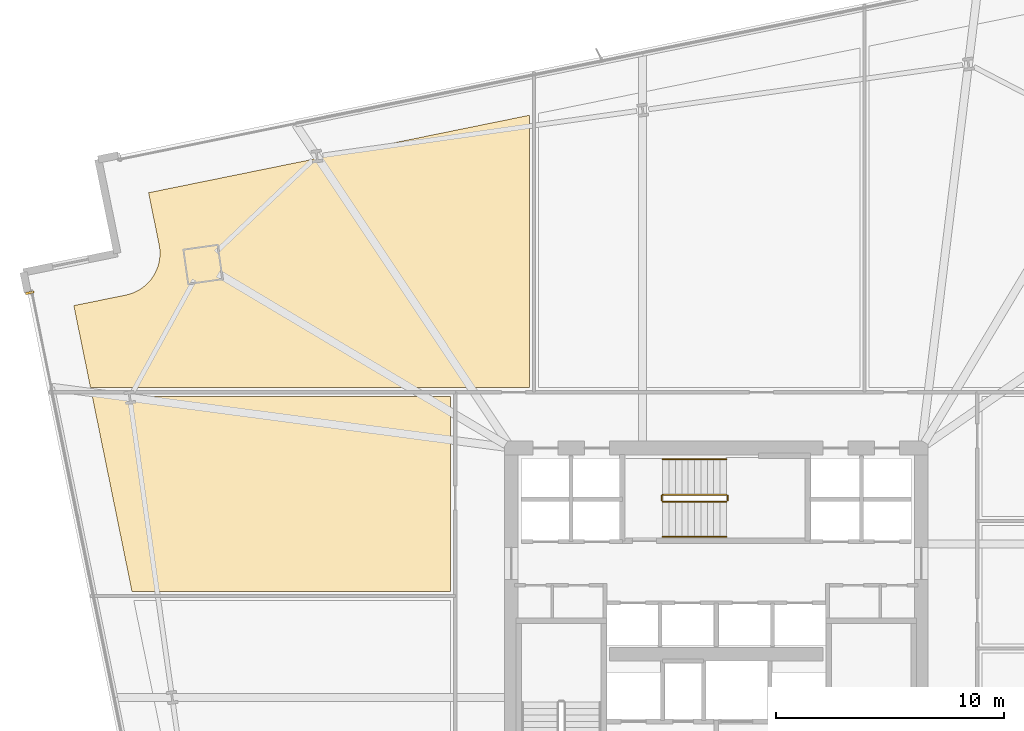
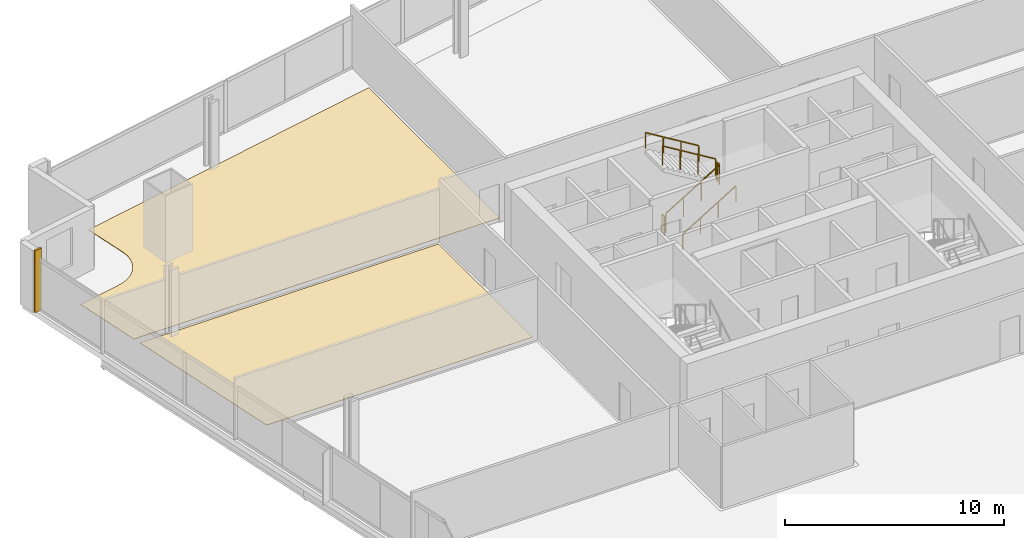
# One storey, part 32 of 33: 6 railings, 3 coverings.
"""IFC4 building model written with IfcOpenShell, lengths in metres."""

from ifc_helpers import new_model, si_unit, direction, frame, origin, origin_2d, place, context, subcontext, project, spatial, polyline, rectangle, outline, extrude, source, transform, mapped, material, layer, layer_set, type_object, element, save


model = new_model("IFC4")

# Units and contexts
model_context = context("Model", 3, precision=1e-05, world=origin(), true_north=direction((0.0, 1.0)))
body_context = subcontext(model_context, "Body", "Model", "MODEL_VIEW")
ifc_project = project(units=[si_unit("LENGTHUNIT", "METRE"), si_unit("AREAUNIT", "SQUARE_METRE"), si_unit("VOLUMEUNIT", "CUBIC_METRE"), si_unit("PLANEANGLEUNIT", "RADIAN"), si_unit("MASSUNIT", "GRAM", prefix="KILO")], contexts=[model_context])

# Site, building, storey
site_placement = place(None, origin())
site = spatial("IfcSite", under=ifc_project, at=site_placement, CompositionType="ELEMENT")
building_placement = place(site_placement, origin())
building = spatial("IfcBuilding", under=site, at=building_placement, Name="Haldenkirk Collegiate Tower", CompositionType="ELEMENT")
storey_placement = place(building_placement, frame((0.0, 0.0, 66.449951171875)))
storey = spatial("IfcBuildingStorey", under=building, at=storey_placement, Name="L15", CompositionType="ELEMENT", Elevation=66.449951171875)

# Coverings
ifc_material_1 = material(Name="Polished collegiate terrazzo", Category="concrete")
ifc_layer_1 = layer(ifc_material_1, 0.02490234375)
ifc_layer_set_1 = layer_set([ifc_layer_1], Name="Polished collegiate terrazzo")
covering_type_1 = type_object("IfcCoveringType", Name="COV-FLOOR-TERRAZZO", PredefinedType="FLOORING", material=ifc_layer_set_1)
covering_1_placement = place(storey_placement, origin())
element("IfcCovering", 1, at=covering_1_placement, inside=storey, type_object=covering_type_1, Name="L15 academic room finish 02", PredefinedType="FLOORING", context=body_context, shape_type="SweptSolid", body=[
    extrude(outline(polyline([(10.096923828125, 40.711181640625), (10.102783203125, 40.71240234375), (10.269287109375, 40.7548828125), (10.280517578125, 40.75830078125), (10.44189453125, 40.81689453125), (10.452880859375, 40.821533203125), (10.607666015625, 40.8955078125), (10.617919921875, 40.901123046875), (10.764892578125, 40.989990234375), (10.774658203125, 40.99658203125), (10.912109375, 41.099609375), (10.92138671875, 41.107177734375), (11.048095703125, 41.22314453125), (11.05615234375, 41.2314453125), (11.1708984375, 41.359130859375), (11.178466796875, 41.3681640625), (11.2802734375, 41.506591796875), (11.28662109375, 41.5166015625), (11.374267578125, 41.664306640625), (11.3798828125, 41.674560546875), (11.45263671875, 41.830078125), (11.45703125, 41.841064453125), (11.51416015625, 42.0029296875), (11.517578125, 42.014404296875), (11.55859375, 42.18115234375), (11.560791015625, 42.192626953125), (11.585205078125, 42.362548828125), (11.58642578125, 42.374267578125), (11.593994140625, 42.5458984375), (11.593994140625, 42.5576171875), (11.584716796875, 42.72900390625), (11.58349609375, 42.74072265625), (11.5576171875, 42.91064453125), (11.556640625, 42.91650390625), (11.092041015625, 45.19970703125), (27.800048828125, 48.598876953125), (27.800048828125, 36.64990234375), (8.545654296875, 36.64990234375), (7.81396484375, 40.24658203125), (10.096923828125, 40.711181640625)])), origin(), (0.0, 0.0, 1.0), 0.025146484375),
])
covering_2_placement = place(storey_placement, origin())
element("IfcCovering", 2, at=covering_2_placement, inside=storey, type_object=covering_type_1, Name="L15 academic room finish 06", PredefinedType="FLOORING", context=body_context, shape_type="SweptSolid", body=[
    extrude(outline(polyline([(8.626953125, 36.25), (24.35009765625, 36.25), (24.35009765625, 27.699951171875), (10.366455078125, 27.699951171875), (8.626953125, 36.25)])), origin(), (0.0, 0.0, 1.0), 0.025146484375),
])

# Railings
ifc_material_2 = material(Name="Painted architectural tubular steel", Category="steel")
railing_type_1 = type_object("IfcRailingType", Name="RLG-STAIR-GUARD-1100", PredefinedType="BALUSTRADE", material=ifc_material_2)
railing_1_placement = place(storey_placement, frame((33.64990234375, 31.64990234375, 0.17041015625)))
element("IfcRailing", 3, at=railing_1_placement, inside=storey, type_object=railing_type_1, Name="L15 ST-3 stair guard 1", PredefinedType="BALUSTRADE", context=body_context, shape_type="SweptSolid", body=[
    extrude(rectangle(XDim=0.048095703125, YDim=0.048095703125, at=origin_2d()), frame((0.0, 0.0, 1.076171875), z_axis=(0.854169791009, 0.0, 0.51999420009), x_axis=(0.0, 1.0, 0.0)), (0.0, 0.0, 1.0), 3.278076171875),
    extrude(rectangle(XDim=0.0419921875, YDim=0.0419921875, at=origin_2d()), origin(), (0.0, 0.0, 1.0), 1.052001953125),
    extrude(rectangle(XDim=0.0419921875, YDim=0.0419921875, at=origin_2d()), frame((0.933349609375, 0.0, 0.568115234375)), (0.0, 0.0, 1.0), 1.052001953125),
    extrude(rectangle(XDim=0.0419921875, YDim=0.0419921875, at=origin_2d()), frame((1.86669921875, 0.0, 1.136474609375)), (0.0, 0.0, 1.0), 1.052001953125),
    extrude(rectangle(XDim=0.0419921875, YDim=0.0419921875, at=origin_2d()), frame((2.800048828125, 0.0, 1.70458984375)), (0.0, 0.0, 1.0), 1.052001953125),
])
railing_2_placement = place(storey_placement, frame((36.5, 31.699951171875, 1.875)))
element("IfcRailing", 4, at=railing_2_placement, inside=storey, type_object=railing_type_1, Name="L15 ST-3 stair guard 2", PredefinedType="BALUSTRADE", context=body_context, shape_type="SweptSolid", body=[
    extrude(rectangle(XDim=0.048095703125, YDim=0.048095703125, at=origin_2d()), frame((0.0, 0.0, 1.076171875), z_axis=(0.0, 1.0, 0.0), x_axis=(-1.0, 0.0, 0.0)), (0.0, 0.0, 1.0), 0.199951171875),
    extrude(rectangle(XDim=0.0419921875, YDim=0.0419921875, at=origin_2d()), origin(), (0.0, 0.0, 1.0), 1.052001953125),
    extrude(rectangle(XDim=0.0419921875, YDim=0.0419921875, at=origin_2d()), frame((0.0, 0.199951171875, 0.0)), (0.0, 0.0, 1.0), 1.052001953125),
])
railing_3_placement = place(storey_placement, frame((36.449951171875, 31.949951171875, 2.04541015625)))
element("IfcRailing", 5, at=railing_3_placement, inside=storey, type_object=railing_type_1, Name="L15 ST-3 stair guard 3", PredefinedType="BALUSTRADE", context=body_context, shape_type="SweptSolid", body=[
    extrude(rectangle(XDim=0.048095703125, YDim=0.048095703125, at=origin_2d()), frame((0.0, 0.0, 1.076171875), z_axis=(-0.854169791009, 0.0, 0.51999420009), x_axis=(0.0, -1.0, 0.0)), (0.0, 0.0, 1.0), 3.278076171875),
    extrude(rectangle(XDim=0.0419921875, YDim=0.0419921875, at=origin_2d()), origin(), (0.0, 0.0, 1.0), 1.052001953125),
    extrude(rectangle(XDim=0.0419921875, YDim=0.0419921875, at=origin_2d()), frame((-0.933349609375, 0.0, 0.568115234375)), (0.0, 0.0, 1.0), 1.052001953125),
    extrude(rectangle(XDim=0.0419921875, YDim=0.0419921875, at=origin_2d()), frame((-1.86669921875, 0.0, 1.136474609375)), (0.0, 0.0, 1.0), 1.052001953125),
    extrude(rectangle(XDim=0.0419921875, YDim=0.0419921875, at=origin_2d()), frame((-2.800048828125, 0.0, 1.70458984375)), (0.0, 0.0, 1.0), 1.052001953125),
])
railing_4_placement = place(storey_placement, frame((33.60009765625, 31.699951171875, 0.0)))
element("IfcRailing", 6, at=railing_4_placement, inside=storey, type_object=railing_type_1, Name="L15 ST-3 stair guard 4", PredefinedType="BALUSTRADE", context=body_context, shape_type="SweptSolid", body=[
    extrude(rectangle(XDim=0.048095703125, YDim=0.048095703125, at=origin_2d()), frame((0.0, 0.0, 1.076171875), z_axis=(0.0, 1.0, 0.0), x_axis=(-1.0, 0.0, 0.0)), (0.0, 0.0, 1.0), 0.199951171875),
    extrude(rectangle(XDim=0.0419921875, YDim=0.0419921875, at=origin_2d()), origin(), (0.0, 0.0, 1.0), 1.052001953125),
    extrude(rectangle(XDim=0.0419921875, YDim=0.0419921875, at=origin_2d()), frame((0.0, 0.199951171875, 0.0)), (0.0, 0.0, 1.0), 1.052001953125),
])
railing_type_2 = type_object("IfcRailingType", Name="RLG-STAIR-HANDRAIL-900", PredefinedType="HANDRAIL", material=ifc_material_2)
railing_5_placement = place(storey_placement, frame((33.64990234375, 30.10009765625, 0.17041015625)))
element("IfcRailing", 7, at=railing_5_placement, inside=storey, type_object=railing_type_2, Name="L15 ST-3 stair handrail 1", PredefinedType="HANDRAIL", context=body_context, shape_type="SweptSolid", body=[
    extrude(rectangle(XDim=0.048095703125, YDim=0.048095703125, at=origin_2d()), frame((0.0, 0.0, 0.8759765625), z_axis=(0.854169791009, 0.0, 0.51999420009), x_axis=(0.0, 1.0, 0.0)), (0.0, 0.0, 1.0), 3.278076171875),
    extrude(rectangle(XDim=0.0419921875, YDim=0.0419921875, at=origin_2d()), origin(), (0.0, 0.0, 1.0), 0.851806640625),
    extrude(rectangle(XDim=0.0419921875, YDim=0.0419921875, at=origin_2d()), frame((0.933349609375, 0.0, 0.568115234375)), (0.0, 0.0, 1.0), 0.851806640625),
    extrude(rectangle(XDim=0.0419921875, YDim=0.0419921875, at=origin_2d()), frame((1.86669921875, 0.0, 1.136474609375)), (0.0, 0.0, 1.0), 0.851806640625),
    extrude(rectangle(XDim=0.0419921875, YDim=0.0419921875, at=origin_2d()), frame((2.800048828125, 0.0, 1.70458984375)), (0.0, 0.0, 1.0), 0.851806640625),
])
railing_6_placement = place(storey_placement, frame((36.449951171875, 33.5, 2.04541015625)))
element("IfcRailing", 8, at=railing_6_placement, inside=storey, type_object=railing_type_2, Name="L15 ST-3 stair handrail 2", PredefinedType="HANDRAIL", context=body_context, shape_type="SweptSolid", body=[
    extrude(rectangle(XDim=0.048095703125, YDim=0.048095703125, at=origin_2d()), frame((0.0, 0.0, 0.8759765625), z_axis=(-0.854169791009, 0.0, 0.51999420009), x_axis=(0.0, -1.0, 0.0)), (0.0, 0.0, 1.0), 3.278076171875),
    extrude(rectangle(XDim=0.0419921875, YDim=0.0419921875, at=origin_2d()), origin(), (0.0, 0.0, 1.0), 0.851806640625),
    extrude(rectangle(XDim=0.0419921875, YDim=0.0419921875, at=origin_2d()), frame((-0.933349609375, 0.0, 0.568115234375)), (0.0, 0.0, 1.0), 0.851806640625),
    extrude(rectangle(XDim=0.0419921875, YDim=0.0419921875, at=origin_2d()), frame((-1.86669921875, 0.0, 1.136474609375)), (0.0, 0.0, 1.0), 0.851806640625),
    extrude(rectangle(XDim=0.0419921875, YDim=0.0419921875, at=origin_2d()), frame((-2.800048828125, 0.0, 1.70458984375)), (0.0, 0.0, 1.0), 0.851806640625),
])

# Covering
ifc_material_3 = material(Name="Anodised architectural bronze aluminium", Category="aluminium")
ifc_layer_2 = layer(ifc_material_3, 0.06005859375)
ifc_layer_set_2 = layer_set([ifc_layer_2], Name="Anodised architectural bronze aluminium")
covering_type_2 = type_object("IfcCoveringType", Name="COV-CLAD-BRONZE-60", PredefinedType="CLADDING", material=ifc_layer_set_2)
shared_shape = source(origin(), body_context, "Body", "SweptSolid", [
    extrude(rectangle(XDim=0.10009765625, YDim=0.3798828125, at=origin_2d()), origin(), (0.0, 0.0, 1.0), 3.43994140625),
])
covering_3_placement = place(storey_placement, frame((5.882080078125, 40.812744140625, 0.0), z_axis=(0.0, 0.0, 1.0), x_axis=(-0.199367934417, 0.979924704621, 0.0)))
element("IfcCovering", 9, at=covering_3_placement, inside=storey, type_object=covering_type_2, Name="L15 recessed curtain-wall bronze jamb closure WJR", PredefinedType="CLADDING", context=body_context, shape_type="MappedRepresentation", body=[
    mapped(shared_shape, transform((0.0, 0.0, 0.0), x_axis=(1.0, 0.0, 0.0), y_axis=(0.0, 1.0, 0.0), z_axis=(0.0, 0.0, 1.0), scale=1.0)),
])

save(model, "model.ifc")
